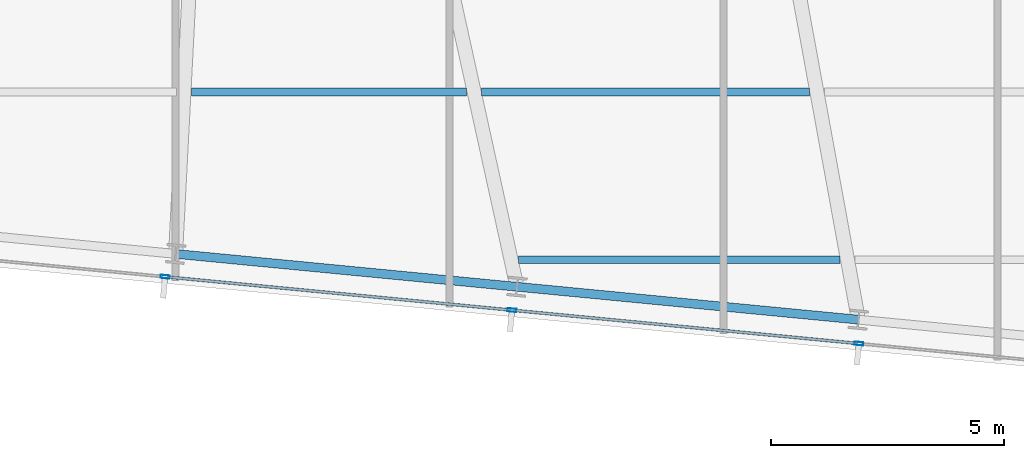
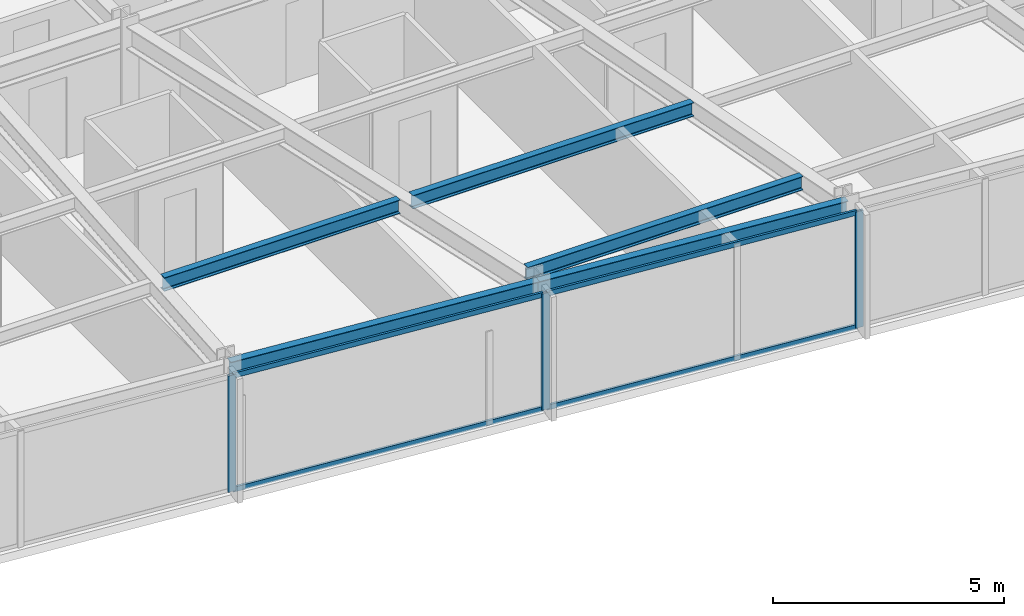
# One storey, part 6 of 38: 7 members, 5 beams, 1 element without a shape of its own.
"""IFC4 building model written with IfcOpenShell, lengths in metres."""

from ifc_helpers import new_model, si_unit, direction, frame, origin, origin_2d, place, context, subcontext, project, spatial, hollow_rectangle, i_section, extrude, material, material_profile, profile_set, type_object, element, aggregate, save


model = new_model("IFC4")

# Units and contexts
model_context = context("Model", 3, precision=1e-05, world=origin(), true_north=direction((0.0, 1.0)))
body_context = subcontext(model_context, "Body", "Model", "MODEL_VIEW")
ifc_project = project(units=[si_unit("LENGTHUNIT", "METRE"), si_unit("AREAUNIT", "SQUARE_METRE"), si_unit("VOLUMEUNIT", "CUBIC_METRE"), si_unit("PLANEANGLEUNIT", "RADIAN"), si_unit("MASSUNIT", "GRAM", prefix="KILO")], contexts=[model_context])

# Site, building, storey
site_placement = place(None, origin())
site = spatial("IfcSite", under=ifc_project, at=site_placement, CompositionType="ELEMENT")
building_placement = place(site_placement, origin())
building = spatial("IfcBuilding", under=site, at=building_placement, Name="Yelkora Congress Tower", CompositionType="ELEMENT")
storey_placement = place(building_placement, frame((0.0, 0.0, 155.60009765625)))
storey = spatial("IfcBuildingStorey", under=building, at=storey_placement, Name="L42", CompositionType="ELEMENT", Elevation=155.60009765625)

# Beams
ifc_material_1 = material(Name="Steel S355J2", Category="steel")
ifc_material_profile_1 = material_profile(ifc_material_1, i_section(OverallWidth=0.169921875, OverallDepth=0.360107421875, WebThickness=0.008056640625, FlangeThickness=0.0126953125, FilletRadius=0.01806640625, at=origin_2d()), Name="IPE 360")
ifc_profile_set_1 = profile_set([ifc_material_profile_1], Name="Steel S355J2")
beam_type_1 = type_object("IfcBeamType", Name="BM-JOIST-IPE360", PredefinedType="JOIST", material=ifc_profile_set_1)
beam_1_placement = place(storey_placement, frame((25.921630859375, 12.8212890625, 2.89990234375), z_axis=(1.0, 0.0, 0.0), x_axis=(0.0, 1.0, 0.0)))
element("IfcBeam", 1, at=beam_1_placement, inside=storey, type_object=beam_type_1, Name="L42 Composite Floor Joist 1", PredefinedType="JOIST", context=body_context, shape_type="SweptSolid", body=[
    extrude(i_section(OverallWidth=0.169921875, OverallDepth=0.360107421875, WebThickness=0.008056640625, FlangeThickness=0.0126953125, FilletRadius=0.01806640625, at=origin_2d()), origin(), (0.0, 0.0, 1.0), 6.896484375),
])
beam_2_placement = place(storey_placement, frame((18.905517578125, 16.421142578125, 2.89990234375), z_axis=(1.0, 0.0, 0.0), x_axis=(0.0, 1.0, 0.0)))
element("IfcBeam", 2, at=beam_2_placement, inside=storey, type_object=beam_type_1, Name="L42 Composite Floor Joist 7", PredefinedType="JOIST", context=body_context, shape_type="SweptSolid", body=[
    extrude(i_section(OverallWidth=0.169921875, OverallDepth=0.360107421875, WebThickness=0.008056640625, FlangeThickness=0.0126953125, FilletRadius=0.01806640625, at=origin_2d()), origin(), (0.0, 0.0, 1.0), 5.904541015625),
])
beam_3_placement = place(storey_placement, frame((25.130126953125, 16.421142578125, 2.89990234375), z_axis=(1.0, 0.0, 0.0), x_axis=(0.0, 1.0, 0.0)))
element("IfcBeam", 3, at=beam_3_placement, inside=storey, type_object=beam_type_1, Name="L42 Composite Floor Joist 8", PredefinedType="JOIST", context=body_context, shape_type="SweptSolid", body=[
    extrude(i_section(OverallWidth=0.169921875, OverallDepth=0.360107421875, WebThickness=0.008056640625, FlangeThickness=0.0126953125, FilletRadius=0.01806640625, at=origin_2d()), origin(), (0.0, 0.0, 1.0), 7.03125),
])
ifc_material_profile_2 = material_profile(ifc_material_1, i_section(OverallWidth=0.18994140625, OverallDepth=0.449951171875, WebThickness=0.009521484375, FlangeThickness=0.0146484375, FilletRadius=0.02099609375, at=origin_2d()), Name="IPE 450")
ifc_profile_set_2 = profile_set([ifc_material_profile_2], Name="Steel S355J2")
beam_type_2 = type_object("IfcBeamType", Name="BM-SPAN-IPE450", PredefinedType="SPANDREL", material=ifc_profile_set_2)
beam_4_placement = place(storey_placement, frame((18.56591796875, 12.947021484375, 2.85498046875), z_axis=(0.99539363353, -0.09587238564, 0.0), x_axis=(0.09587238564, 0.99539363353, 0.0)))
element("IfcBeam", 4, at=beam_4_placement, inside=storey, type_object=beam_type_2, Name="L42 Perimeter Beam 4", PredefinedType="SPANDREL", context=body_context, shape_type="SweptSolid", body=[
    extrude(i_section(OverallWidth=0.18994140625, OverallDepth=0.449951171875, WebThickness=0.009521484375, FlangeThickness=0.0146484375, FilletRadius=0.02099609375, at=origin_2d()), origin(), (0.0, 0.0, 1.0), 7.35693359375),
])
beam_5_placement = place(storey_placement, frame((25.888916015625, 12.24169921875, 2.85498046875), z_axis=(0.995397409467, -0.095833173935, 0.0), x_axis=(0.095833173935, 0.995397409467, 0.0)))
element("IfcBeam", 5, at=beam_5_placement, inside=storey, type_object=beam_type_2, Name="L42 Perimeter Beam 5", PredefinedType="SPANDREL", context=body_context, shape_type="SweptSolid", body=[
    extrude(i_section(OverallWidth=0.18994140625, OverallDepth=0.449951171875, WebThickness=0.009521484375, FlangeThickness=0.0146484375, FilletRadius=0.02099609375, at=origin_2d()), origin(), (0.0, 0.0, 1.0), 7.357421875),
])

# Curtain wall, members
ifc_material_2 = material(Name="Anodised aluminium and insulated glass", Category="aluminium")
curtain_wall_type = type_object("IfcCurtainWallType", Name="CW-SYS-B3", PredefinedType="NOTDEFINED", material=ifc_material_2)
curtain_wall_placement = place(storey_placement, origin())
curtain_wall = element("IfcCurtainWall", 6, at=curtain_wall_placement, inside=storey, type_object=curtain_wall_type, Name="L42 Unitised Curtain Wall 20", PredefinedType="NOTDEFINED")
ifc_material_3 = material(Name="Anodised aluminium 6063-T6", Category="aluminium")
ifc_material_profile_3 = material_profile(ifc_material_3, hollow_rectangle(XDim=0.070068359375, YDim=0.18994140625, WallThickness=0.00390625, at=origin_2d()), Name="ALU 70x190x4")
ifc_profile_set_3 = profile_set([ifc_material_profile_3], Name="Anodised aluminium 6063-T6")
member_type_1 = type_object("IfcMemberType", Name="MEM-ML-B3", PredefinedType="MULLION", material=ifc_profile_set_3)
member_1_placement = place(storey_placement, frame((33.2216796875, 11.0234375, 0.0), z_axis=(0.0, 0.0, 1.0), x_axis=(-0.095844680679, -0.995396301573, 0.0)))
member_1 = element("IfcMember", 7, at=member_1_placement, type_object=member_type_1, Name="CW-B3 mullion 4", PredefinedType="MULLION", context=body_context, shape_type="SweptSolid", body=[
    extrude(hollow_rectangle(XDim=0.070068359375, YDim=0.18994140625, WallThickness=0.00390625, at=origin_2d()), origin(), (0.0, 0.0, 1.0), 3.079833984375),
])
member_2_placement = place(storey_placement, frame((25.78173828125, 11.73974609375, 0.0), z_axis=(0.0, 0.0, 1.0), x_axis=(-0.095844680679, -0.995396301573, 0.0)))
member_2 = element("IfcMember", 8, at=member_2_placement, type_object=member_type_1, Name="CW-B3 mullion 5", PredefinedType="MULLION", context=body_context, shape_type="SweptSolid", body=[
    extrude(hollow_rectangle(XDim=0.070068359375, YDim=0.18994140625, WallThickness=0.00390625, at=origin_2d()), origin(), (0.0, 0.0, 1.0), 3.079833984375),
])
member_3_placement = place(storey_placement, frame((18.342041015625, 12.4560546875, 0.0), z_axis=(0.0, 0.0, 1.0), x_axis=(-0.095844680679, -0.995396301573, 0.0)))
member_3 = element("IfcMember", 9, at=member_3_placement, type_object=member_type_1, Name="CW-B3 mullion 6", PredefinedType="MULLION", context=body_context, shape_type="SweptSolid", body=[
    extrude(hollow_rectangle(XDim=0.070068359375, YDim=0.18994140625, WallThickness=0.00390625, at=origin_2d()), origin(), (0.0, 0.0, 1.0), 3.079833984375),
])
ifc_material_profile_4 = material_profile(ifc_material_3, hollow_rectangle(XDim=0.06005859375, YDim=0.1298828125, WallThickness=0.00390625, at=origin_2d()), Name="ALU 60x130x4")
ifc_profile_set_4 = profile_set([ifc_material_profile_4], Name="Anodised aluminium 6063-T6")
member_type_2 = type_object("IfcMemberType", Name="MEM-TR-B3", PredefinedType="USERDEFINED", material=ifc_profile_set_4)
member_4_placement = place(storey_placement, frame((33.18701171875, 11.02685546875, 0.02978515625), z_axis=(-0.995398934959, 0.095817327669, 0.0), x_axis=(-0.095817327669, -0.995398934959, 0.0)))
member_4 = element("IfcMember", 10, at=member_4_placement, type_object=member_type_2, Name="CW-B3 transom 4.1", ObjectType="TRANSOM", PredefinedType="USERDEFINED", context=body_context, shape_type="SweptSolid", body=[
    extrude(hollow_rectangle(XDim=0.06005859375, YDim=0.1298828125, WallThickness=0.00390625, at=origin_2d()), origin(), (0.0, 0.0, 1.0), 7.404541015625),
])
member_5_placement = place(storey_placement, frame((33.18701171875, 11.02685546875, 3.0498046875), z_axis=(-0.995398934959, 0.095817327669, 0.0), x_axis=(-0.095817327669, -0.995398934959, 0.0)))
member_5 = element("IfcMember", 11, at=member_5_placement, type_object=member_type_2, Name="CW-B3 transom 4.2", ObjectType="TRANSOM", PredefinedType="USERDEFINED", context=body_context, shape_type="SweptSolid", body=[
    extrude(hollow_rectangle(XDim=0.06005859375, YDim=0.1298828125, WallThickness=0.00390625, at=origin_2d()), origin(), (0.0, 0.0, 1.0), 7.404541015625),
])
member_6_placement = place(storey_placement, frame((25.7470703125, 11.7431640625, 0.02978515625), z_axis=(-0.995395789658, 0.095849997036, 0.0), x_axis=(-0.095849997036, -0.995395789658, 0.0)))
member_6 = element("IfcMember", 12, at=member_6_placement, type_object=member_type_2, Name="CW-B3 transom 5.1", ObjectType="TRANSOM", PredefinedType="USERDEFINED", context=body_context, shape_type="SweptSolid", body=[
    extrude(hollow_rectangle(XDim=0.06005859375, YDim=0.1298828125, WallThickness=0.00390625, at=origin_2d()), origin(), (0.0, 0.0, 1.0), 7.404541015625),
])
member_7_placement = place(storey_placement, frame((25.7470703125, 11.7431640625, 3.0498046875), z_axis=(-0.995395789658, 0.095849997036, 0.0), x_axis=(-0.095849997036, -0.995395789658, 0.0)))
member_7 = element("IfcMember", 13, at=member_7_placement, type_object=member_type_2, Name="CW-B3 transom 5.2", ObjectType="TRANSOM", PredefinedType="USERDEFINED", context=body_context, shape_type="SweptSolid", body=[
    extrude(hollow_rectangle(XDim=0.06005859375, YDim=0.1298828125, WallThickness=0.00390625, at=origin_2d()), origin(), (0.0, 0.0, 1.0), 7.404541015625),
])
aggregate(curtain_wall, [member_1, member_2, member_3, member_4, member_5, member_6, member_7])

save(model, "model.ifc")
